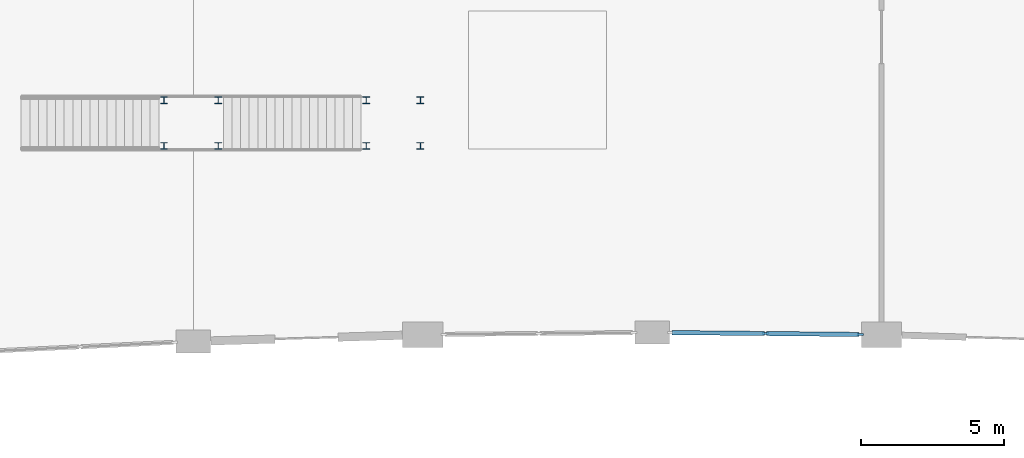
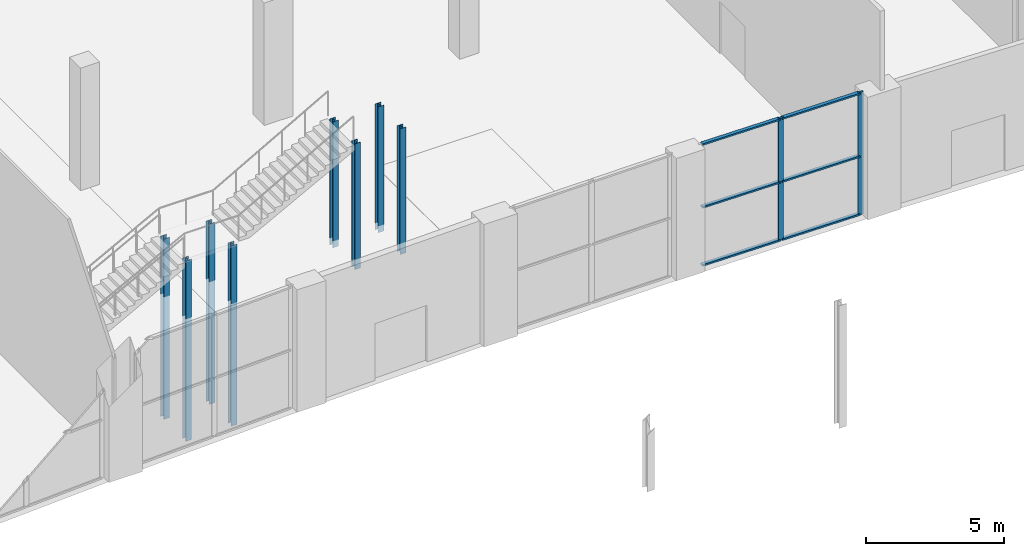
# One storey, part 31 of 86: 16 members, 1 element without a shape of its own.
"""IFC4 building model written with IfcOpenShell, lengths in metres."""

from ifc_helpers import new_model, si_unit, direction, frame, origin, origin_2d, place, context, subcontext, project, spatial, rectangle, i_section, extrude, material, material_profile, profile_set, type_object, element, aggregate, save


model = new_model("IFC4")

# Units and contexts
model_context = context("Model", 3, precision=1e-05, world=origin(), true_north=direction((0.0, 1.0)))
body_context = subcontext(model_context, "Body", "Model", "MODEL_VIEW")
ifc_project = project(units=[si_unit("LENGTHUNIT", "METRE"), si_unit("AREAUNIT", "SQUARE_METRE"), si_unit("VOLUMEUNIT", "CUBIC_METRE"), si_unit("PLANEANGLEUNIT", "RADIAN"), si_unit("MASSUNIT", "GRAM", prefix="KILO")], contexts=[model_context])

# Site, building, storey
site_placement = place(None, origin())
site = spatial("IfcSite", under=ifc_project, at=site_placement, CompositionType="ELEMENT")
building_placement = place(site_placement, origin())
building = spatial("IfcBuilding", under=site, at=building_placement, Name="Kenh Van Central Station", CompositionType="ELEMENT")
storey_placement = place(building_placement, origin())
storey = spatial("IfcBuildingStorey", under=building, at=storey_placement, Name="L00", CompositionType="ELEMENT", Elevation=0.0)

# Curtain wall, members
ifc_material_1 = material(Name="Champagne anodised aluminium", Category="aluminium")
curtain_wall_type = type_object("IfcCurtainWallType", Name="CW-HALL-A", PredefinedType="NOTDEFINED", material=ifc_material_1)
curtain_wall_placement = place(storey_placement, origin())
curtain_wall = element("IfcCurtainWall", 1, at=curtain_wall_placement, inside=storey, type_object=curtain_wall_type, Name="L00 curtain wall 010", PredefinedType="NOTDEFINED")
ifc_material_profile_1 = material_profile(ifc_material_1, rectangle(XDim=0.080078125, YDim=0.219970703125, at=origin_2d()), Name="AL 80x220")
ifc_profile_set_1 = profile_set([ifc_material_profile_1], Name="Champagne anodised aluminium")
member_type_1 = type_object("IfcMemberType", Name="CWM-80x220", PredefinedType="MULLION", material=ifc_profile_set_1)
member_1_placement = place(storey_placement, frame((91.94970703125, 67.160400390625, 0.0), z_axis=(0.0, 0.0, 1.0), x_axis=(0.010011901592, 0.999949879657, 0.0)))
member_1 = element("IfcMember", 2, at=member_1_placement, type_object=member_type_1, Name="CW-01 mullion 2", PredefinedType="MULLION", context=body_context, shape_type="SweptSolid", body=[
    extrude(rectangle(XDim=0.080078125, YDim=0.219970703125, at=origin_2d()), origin(), (0.0, 0.0, 1.0), 5.39990234375),
])
member_2_placement = place(storey_placement, frame((95.255615234375, 67.127197265625, 0.0), z_axis=(0.0, 0.0, 1.0), x_axis=(0.010011901592, 0.999949879657, 0.0)))
member_2 = element("IfcMember", 3, at=member_2_placement, type_object=member_type_1, Name="CW-01 mullion 3", PredefinedType="MULLION", context=body_context, shape_type="SweptSolid", body=[
    extrude(rectangle(XDim=0.080078125, YDim=0.219970703125, at=origin_2d()), origin(), (0.0, 0.0, 1.0), 5.39990234375),
])
ifc_material_profile_2 = material_profile(ifc_material_1, rectangle(XDim=0.14990234375, YDim=0.070068359375, at=origin_2d()), Name="AL 150x70")
ifc_profile_set_2 = profile_set([ifc_material_profile_2], Name="Champagne anodised aluminium")
member_type_2 = type_object("IfcMemberType", Name="CWT-150x70", PredefinedType="USERDEFINED", material=ifc_profile_set_2)
member_3_placement = place(storey_placement, frame((88.683837890625, 67.193115234375, 0.034912109375), z_axis=(0.999950102075, -0.009989662717, 0.0), x_axis=(0.009989662717, 0.999950102075, 0.0)))
member_3 = element("IfcMember", 4, at=member_3_placement, type_object=member_type_2, Name="CW-01 transom 1.1", ObjectType="TRANSOM", PredefinedType="USERDEFINED", context=body_context, shape_type="SweptSolid", body=[
    extrude(rectangle(XDim=0.14990234375, YDim=0.070068359375, at=origin_2d()), origin(), (0.0, 0.0, 1.0), 3.22607421875),
])
member_4_placement = place(storey_placement, frame((88.683837890625, 67.193115234375, 2.592041015625), z_axis=(0.999950102075, -0.009989662717, 0.0), x_axis=(0.009989662717, 0.999950102075, 0.0)))
member_4 = element("IfcMember", 5, at=member_4_placement, type_object=member_type_2, Name="CW-01 transom 1.2", ObjectType="TRANSOM", PredefinedType="USERDEFINED", context=body_context, shape_type="SweptSolid", body=[
    extrude(rectangle(XDim=0.14990234375, YDim=0.070068359375, at=origin_2d()), origin(), (0.0, 0.0, 1.0), 3.22607421875),
])
member_5_placement = place(storey_placement, frame((88.683837890625, 67.193115234375, 5.364990234375), z_axis=(0.999950102075, -0.009989662717, 0.0), x_axis=(0.009989662717, 0.999950102075, 0.0)))
member_5 = element("IfcMember", 6, at=member_5_placement, type_object=member_type_2, Name="CW-01 transom 1.3", ObjectType="TRANSOM", PredefinedType="USERDEFINED", context=body_context, shape_type="SweptSolid", body=[
    extrude(rectangle(XDim=0.14990234375, YDim=0.070068359375, at=origin_2d()), origin(), (0.0, 0.0, 1.0), 3.22607421875),
])
member_6_placement = place(storey_placement, frame((91.98974609375, 67.159912109375, 0.034912109375), z_axis=(0.999950102075, -0.009989662717, 0.0), x_axis=(0.009989662717, 0.999950102075, 0.0)))
member_6 = element("IfcMember", 7, at=member_6_placement, type_object=member_type_2, Name="CW-01 transom 2.1", ObjectType="TRANSOM", PredefinedType="USERDEFINED", context=body_context, shape_type="SweptSolid", body=[
    extrude(rectangle(XDim=0.14990234375, YDim=0.070068359375, at=origin_2d()), origin(), (0.0, 0.0, 1.0), 3.22607421875),
])
member_7_placement = place(storey_placement, frame((91.98974609375, 67.159912109375, 2.592041015625), z_axis=(0.999950102075, -0.009989662717, 0.0), x_axis=(0.009989662717, 0.999950102075, 0.0)))
member_7 = element("IfcMember", 8, at=member_7_placement, type_object=member_type_2, Name="CW-01 transom 2.2", ObjectType="TRANSOM", PredefinedType="USERDEFINED", context=body_context, shape_type="SweptSolid", body=[
    extrude(rectangle(XDim=0.14990234375, YDim=0.070068359375, at=origin_2d()), origin(), (0.0, 0.0, 1.0), 3.22607421875),
])
member_8_placement = place(storey_placement, frame((91.98974609375, 67.159912109375, 5.364990234375), z_axis=(0.999950102075, -0.009989662717, 0.0), x_axis=(0.009989662717, 0.999950102075, 0.0)))
member_8 = element("IfcMember", 9, at=member_8_placement, type_object=member_type_2, Name="CW-01 transom 2.3", ObjectType="TRANSOM", PredefinedType="USERDEFINED", context=body_context, shape_type="SweptSolid", body=[
    extrude(rectangle(XDim=0.14990234375, YDim=0.070068359375, at=origin_2d()), origin(), (0.0, 0.0, 1.0), 3.22607421875),
])
aggregate(curtain_wall, [member_1, member_2, member_3, member_4, member_5, member_6, member_7, member_8])

# Members
ifc_material_2 = material(Name="Steel S355", Category="steel")
ifc_material_profile_3 = material_profile(ifc_material_2, i_section(OverallWidth=0.239990234375, OverallDepth=0.22998046875, WebThickness=0.007568359375, FlangeThickness=0.011962890625, FilletRadius=0.02099609375, at=origin_2d()), Name="HEA 240")
ifc_profile_set_3 = profile_set([ifc_material_profile_3], Name="Steel S355")
member_type_3 = type_object("IfcMemberType", Name="MEM-ROOF-POST240", PredefinedType="POST", material=ifc_profile_set_3)
for number, where, z_axis, x_axis, name in (
    (10, (78.030029296875, 73.705078125, -0.300048828125), (0.0, 0.0, 1.0), (1.0, 0.0, 0.0), "L00 transfer landing post ST-PUB5 11"),
    (11, (78.030029296875, 75.294921875, -0.300048828125), (0.0, 0.0, 1.0), (1.0, 0.0, 0.0), "L00 transfer landing post ST-PUB5 12"),
    (12, (79.919921875, 73.705078125, -0.300048828125), (0.0, 0.0, 1.0), (1.0, 0.0, 0.0), "L00 transfer landing post ST-PUB5 21"),
    (13, (79.919921875, 75.294921875, -0.300048828125), (0.0, 0.0, 1.0), (1.0, 0.0, 0.0), "L00 transfer landing post ST-PUB5 22"),
):
    element("IfcMember", number, at=place(storey_placement, frame(where, z_axis=z_axis, x_axis=x_axis)), inside=storey, type_object=member_type_3, Name=name, PredefinedType="POST", context=body_context, shape_type="SweptSolid", body=[
        extrude(i_section(OverallWidth=0.239990234375, OverallDepth=0.22998046875, WebThickness=0.007568359375, FlangeThickness=0.011962890625, FilletRadius=0.02099609375, at=origin_2d()), origin(), (0.0, 0.0, 1.0), 5.550048828125),
    ])
for number, where, z_axis, x_axis, name in (
    (14, (70.97998046875, 73.705078125, -5.39990234375), (0.0, 0.0, 1.0), (1.0, 0.0, 0.0), "Island Platform 1 Central Transfer Stair mid-landing support post 11"),
    (15, (70.97998046875, 75.294921875, -5.39990234375), (0.0, 0.0, 1.0), (1.0, 0.0, 0.0), "Island Platform 1 Central Transfer Stair mid-landing support post 12"),
    (16, (72.8701171875, 73.705078125, -5.39990234375), (0.0, 0.0, 1.0), (1.0, 0.0, 0.0), "Island Platform 1 Central Transfer Stair mid-landing support post 21"),
    (17, (72.8701171875, 75.294921875, -5.39990234375), (0.0, 0.0, 1.0), (1.0, 0.0, 0.0), "Island Platform 1 Central Transfer Stair mid-landing support post 22"),
):
    element("IfcMember", number, at=place(storey_placement, frame(where, z_axis=z_axis, x_axis=x_axis)), inside=storey, type_object=member_type_3, Name=name, PredefinedType="POST", context=body_context, shape_type="SweptSolid", body=[
        extrude(i_section(OverallWidth=0.239990234375, OverallDepth=0.22998046875, WebThickness=0.007568359375, FlangeThickness=0.011962890625, FilletRadius=0.02099609375, at=origin_2d()), origin(), (0.0, 0.0, 1.0), 7.949951171875),
    ])

save(model, "model.ifc")
